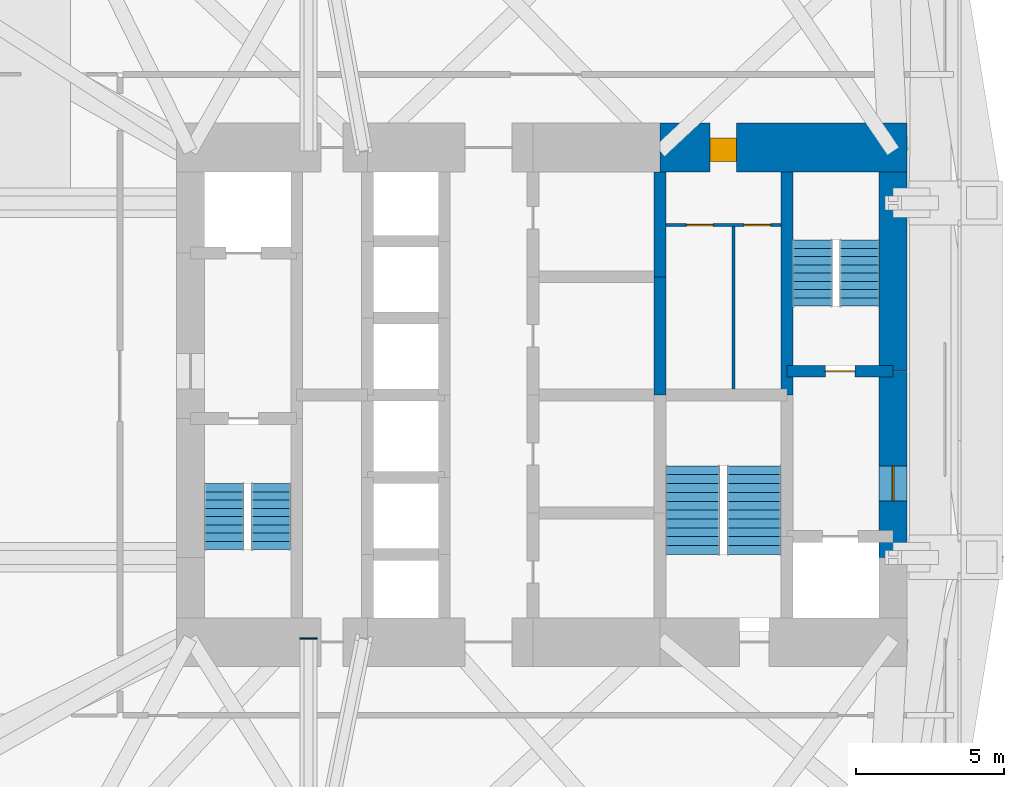
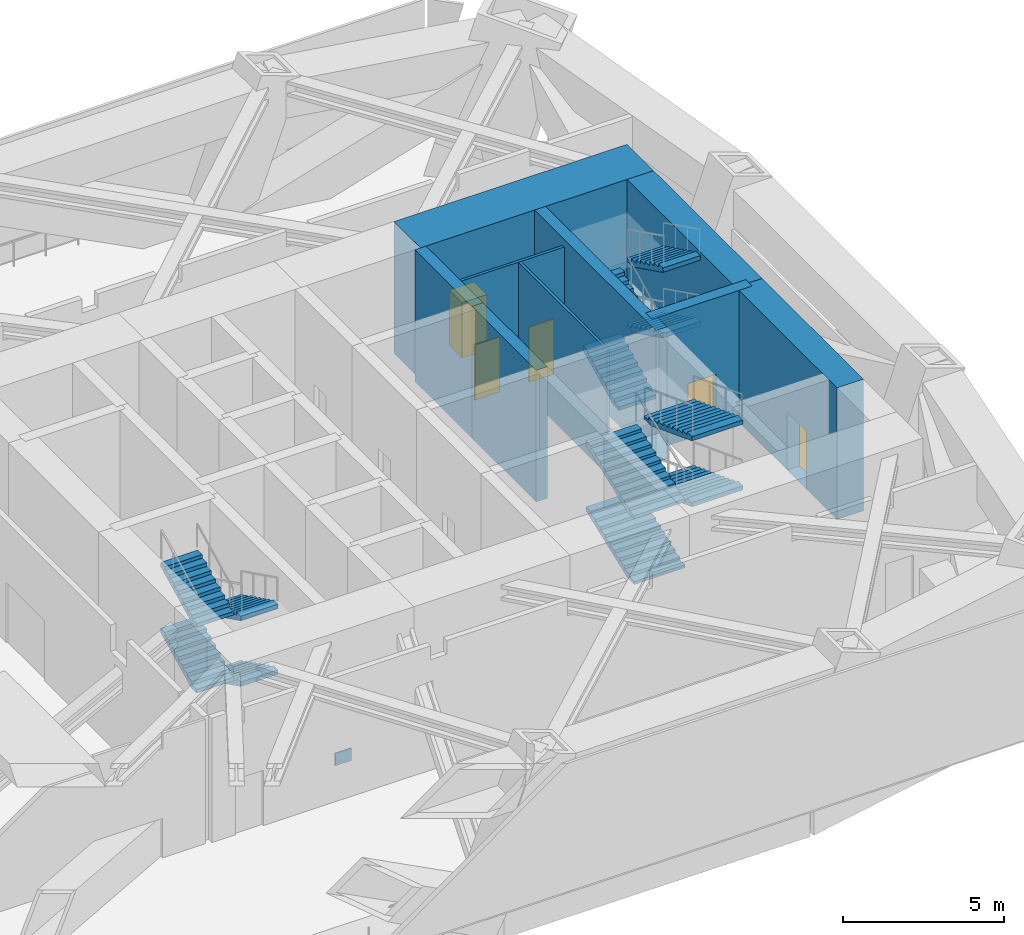
# One storey, part 6 of 8: 12 stair flights, 9 walls, 5 doors, 1 discrete accessory, 5 openings, 3 elements without a shape of their own.
"""IFC4 building model written with IfcOpenShell, lengths in metres."""

from ifc_helpers import new_model, si_unit, direction, frame, frame_2d, origin, origin_2d, place, context, subcontext, project, spatial, polyline, rectangle, outline, extrude, material, layer, layer_set, constituent, constituent_set, material_profile, profile_set, type_object, element, fill, aggregate, save


model = new_model("IFC4")

# Units and contexts
model_context = context("Model", 3, precision=1e-05, world=origin(), true_north=direction((0.0, 1.0)))
body_context = subcontext(model_context, "Body", "Model", "MODEL_VIEW")
ifc_project = project(units=[si_unit("LENGTHUNIT", "METRE"), si_unit("AREAUNIT", "SQUARE_METRE"), si_unit("VOLUMEUNIT", "CUBIC_METRE"), si_unit("PLANEANGLEUNIT", "RADIAN"), si_unit("MASSUNIT", "GRAM", prefix="KILO")], contexts=[model_context])

# Site, building, storey
site_placement = place(None, origin())
site = spatial("IfcSite", under=ifc_project, at=site_placement, CompositionType="ELEMENT")
building_placement = place(site_placement, origin())
building = spatial("IfcBuilding", under=site, at=building_placement, Name="Jalousie Tower", CompositionType="ELEMENT")
storey_placement = place(building_placement, frame((0.0, 0.0, 74.75)))
storey = spatial("IfcBuildingStorey", under=building, at=storey_placement, Name="L20", CompositionType="ELEMENT", Elevation=74.75)

# Wall, opening, door
ifc_material_1 = material(Name="Concrete f'c 120 MPa", Category="concrete")
ifc_layer_1 = layer(ifc_material_1, 1.64990234375)
ifc_layer_set_1 = layer_set([ifc_layer_1], Name="Concrete f'c 120 MPa")
wall_type_1 = type_object("IfcWallType", Name="CORE WALL 1650", PredefinedType="SHEAR", material=ifc_layer_set_1)
wall_1_placement = place(storey_placement, frame((44.27490234375, 26.875, 0.0), z_axis=(0.0, 0.0, 1.0), x_axis=(-1.0, 0.0, 0.0)))
wall_1 = element("IfcWall", 1, at=wall_1_placement, inside=storey, type_object=wall_type_1, Name="Core wall NA L20", PredefinedType="SHEAR", context=body_context, shape_type="SweptSolid", body=[
    extrude(rectangle(XDim=8.375, YDim=1.64990234375, at=frame_2d((4.1875, 0.0))), origin(), (0.0, 0.0, 1.0), 5.0),
])
opening_1_placement = place(wall_1_placement, frame((5.77490234375, 0.0, 0.0)))
opening_1 = element("IfcOpeningElement", 2, at=opening_1_placement, cuts=wall_1, Name="Opening D25", PredefinedType="OPENING", context=body_context, shape_type="SweptSolid", body=[
    extrude(rectangle(XDim=0.89990234375, YDim=2.10009765625, at=frame_2d((0.449951171875, 1.050048828125))), frame((0.0, 0.8349609375, 0.0), z_axis=(0.0, -1.0, 0.0), x_axis=(1.0, 0.0, 0.0)), (0.0, 0.0, 1.0), 1.669921875),
])
ifc_material_2 = material(Name="Steel fire door", Category="steel")
door_type_1 = type_object("IfcDoorType", Name="SERVICE LOBBY DOOR 900", OperationType="SINGLE_SWING_LEFT", PredefinedType="DOOR", material=ifc_material_2)
door_1_placement = place(opening_1_placement, origin())
door_1 = element("IfcDoor", 3, at=door_1_placement, inside=storey, type_object=door_type_1, Name="Service lobby door", OperationType="SINGLE_SWING_RIGHT", OverallHeight=2.10009765625, OverallWidth=0.89990234375, PredefinedType="DOOR", context=body_context, shape_type="SweptSolid", body=[
    extrude(rectangle(XDim=0.89990234375, YDim=2.10009765625, at=frame_2d((0.449951171875, 1.050048828125))), frame((0.0, 0.47021484375, 0.0), z_axis=(0.0, -1.0, 0.0), x_axis=(1.0, 0.0, 0.0)), (0.0, 0.0, 1.0), 0.800048828125),
])
fill(opening_1, door_1)

# Walls
ifc_material_3 = material(Name="Concrete f'c 120 MPa", Category="concrete")
ifc_layer_2 = layer(ifc_material_3, 0.39990234375)
ifc_layer_set_2 = layer_set([ifc_layer_2], Name="Concrete f'c 120 MPa")
wall_type_2 = type_object("IfcWallType", Name="CORE WALL 400", PredefinedType="SHEAR", material=ifc_layer_set_2)
wall_2_placement = place(storey_placement, frame((35.89990234375, 18.5, 0.0), z_axis=(0.0, 0.0, 1.0), x_axis=(0.0, 1.0, 0.0)))
element("IfcWall", 4, at=wall_2_placement, inside=storey, type_object=wall_type_2, Name="Core wall X35.9C L20", PredefinedType="SHEAR", context=body_context, shape_type="SweptSolid", body=[
    extrude(rectangle(XDim=4.0, YDim=0.39990234375, at=frame_2d((2.0, 0.0))), origin(), (0.0, 0.0, 1.0), 5.0),
])
wall_3_placement = place(storey_placement, frame((35.89990234375, 22.5, 0.0), z_axis=(0.0, 0.0, 1.0), x_axis=(0.0, 1.0, 0.0)))
element("IfcWall", 5, at=wall_3_placement, inside=storey, type_object=wall_type_2, Name="Core wall X35.9D L20", PredefinedType="SHEAR", context=body_context, shape_type="SweptSolid", body=[
    extrude(rectangle(XDim=3.550048828125, YDim=0.39990234375, at=frame_2d((1.77490234375, 0.0))), origin(), (0.0, 0.0, 1.0), 5.0),
])
wall_4_placement = place(storey_placement, frame((40.199951171875, 18.5, 0.0), z_axis=(0.0, 0.0, 1.0), x_axis=(0.0, 1.0, 0.0)))
element("IfcWall", 6, at=wall_4_placement, inside=storey, type_object=wall_type_2, Name="Core wall X40.2C L20", PredefinedType="SHEAR", context=body_context, shape_type="SweptSolid", body=[
    extrude(rectangle(XDim=7.550048828125, YDim=0.39990234375, at=frame_2d((3.77490234375, 0.0))), origin(), (0.0, 0.0, 1.0), 5.0),
])

# Wall, opening, door
wall_5_placement = place(storey_placement, frame((40.199951171875, 19.300048828125, 0.0), z_axis=(0.0, 0.0, 1.0), x_axis=(1.0, 0.0, 0.0)))
wall_5 = element("IfcWall", 7, at=wall_5_placement, inside=storey, type_object=wall_type_2, Name="Core wall Y40.2-19.3 L20", PredefinedType="SHEAR", context=body_context, shape_type="SweptSolid", body=[
    extrude(rectangle(XDim=3.60009765625, YDim=0.39990234375, at=frame_2d((1.800048828125, 0.0))), origin(), (0.0, 0.0, 1.0), 5.0),
])
opening_2_placement = place(wall_5_placement, frame((1.300048828125, 0.0, 0.0)))
opening_2 = element("IfcOpeningElement", 8, at=opening_2_placement, cuts=wall_5, Name="Opening D10", PredefinedType="OPENING", context=body_context, shape_type="SweptSolid", body=[
    extrude(rectangle(XDim=1.0, YDim=2.10009765625, at=frame_2d((0.5, 1.050048828125))), frame((0.0, 0.2099609375, 0.0), z_axis=(0.0, -1.0, 0.0), x_axis=(1.0, 0.0, 0.0)), (0.0, 0.0, 1.0), 0.419921875),
])
ifc_material_4 = material(Name="Steel fire door", Category="steel")
door_type_2 = type_object("IfcDoorType", Name="STAIR DOOR 1000", OperationType="SINGLE_SWING_LEFT", PredefinedType="DOOR", material=ifc_material_4)
door_2_placement = place(opening_2_placement, origin())
door_2 = element("IfcDoor", 9, at=door_2_placement, inside=storey, type_object=door_type_2, Name="Exit stair B door", OperationType="SINGLE_SWING_RIGHT", OverallHeight=2.10009765625, OverallWidth=1.0, PredefinedType="DOOR", context=body_context, shape_type="SweptSolid", body=[
    extrude(rectangle(XDim=1.0, YDim=2.10009765625, at=frame_2d((0.5, 1.050048828125))), frame((0.0, 0.02490234375, 0.0), z_axis=(0.0, -1.0, 0.0), x_axis=(1.0, 0.0, 0.0)), (0.0, 0.0, 1.0), 0.050048828125),
])
fill(opening_2, door_2)

ifc_material_5 = material(Name="Concrete f'c 120 MPa", Category="concrete")
ifc_layer_3 = layer(ifc_material_5, 0.949951171875)
ifc_layer_set_3 = layer_set([ifc_layer_3], Name="Concrete f'c 120 MPa")
wall_type_3 = type_object("IfcWallType", Name="CORE WALL 950", PredefinedType="SHEAR", material=ifc_layer_set_3)
wall_6_placement = place(storey_placement, frame((43.800048828125, 13.0, 0.0), z_axis=(0.0, 0.0, 1.0), x_axis=(0.0, 1.0, 0.0)))
wall_6 = element("IfcWall", 10, at=wall_6_placement, inside=storey, type_object=wall_type_3, Name="Core wall EB L20", PredefinedType="SHEAR", context=body_context, shape_type="SweptSolid", body=[
    extrude(rectangle(XDim=6.300048828125, YDim=0.949951171875, at=frame_2d((3.14990234375, 0.0))), origin(), (0.0, 0.0, 1.0), 5.0),
])
opening_3_placement = place(wall_6_placement, frame((1.89990234375, 0.0, 0.0)))
opening_3 = element("IfcOpeningElement", 11, at=opening_3_placement, cuts=wall_6, Name="Opening D11", PredefinedType="OPENING", context=body_context, shape_type="SweptSolid", body=[
    extrude(rectangle(XDim=1.199951171875, YDim=2.199951171875, at=frame_2d((0.60009765625, 1.10009765625))), frame((0.0, 0.48486328125, 0.0), z_axis=(0.0, -1.0, 0.0), x_axis=(1.0, 0.0, 0.0)), (0.0, 0.0, 1.0), 0.969970703125),
])
ifc_material_6 = material(Name="Steel fire door", Category="steel")
door_type_3 = type_object("IfcDoorType", Name="FIRE DOOR 1200", OperationType="SINGLE_SWING_LEFT", PredefinedType="DOOR", material=ifc_material_6)
door_3_placement = place(opening_3_placement, origin())
door_3 = element("IfcDoor", 12, at=door_3_placement, inside=storey, type_object=door_type_3, Name="Fire-fighting lobby B door", OperationType="SINGLE_SWING_LEFT", OverallHeight=2.199951171875, OverallWidth=1.199951171875, PredefinedType="DOOR", context=body_context, shape_type="SweptSolid", body=[
    extrude(rectangle(XDim=1.199951171875, YDim=2.199951171875, at=frame_2d((0.60009765625, 1.10009765625))), frame((0.0, 0.02490234375, 0.0), z_axis=(0.0, -1.0, 0.0), x_axis=(1.0, 0.0, 0.0)), (0.0, 0.0, 1.0), 0.050048828125),
])
fill(opening_3, door_3)

# Wall
wall_7_placement = place(storey_placement, frame((43.800048828125, 19.300048828125, 0.0), z_axis=(0.0, 0.0, 1.0), x_axis=(0.0, 1.0, 0.0)))
element("IfcWall", 13, at=wall_7_placement, inside=storey, type_object=wall_type_3, Name="Core wall EC L20", PredefinedType="SHEAR", context=body_context, shape_type="SweptSolid", body=[
    extrude(rectangle(XDim=6.75, YDim=0.949951171875, at=frame_2d((3.375, 0.0))), origin(), (0.0, 0.0, 1.0), 5.0),
])

# Wall, openings, doors
ifc_material_7 = material(Name="Gypsum board", Category="gypsum")
ifc_constituent_1 = constituent(ifc_material_7, Name="Body")
ifc_material_8 = material(Name="Light-gauge steel studs ASTM A653 SS Grade 33", Category="steel")
ifc_constituent_2 = constituent(ifc_material_8, Name="Framing")
ifc_constituent_set = constituent_set(constituents=[ifc_constituent_1, ifc_constituent_2])
wall_type_4 = type_object("IfcWallType", Name="PARTITION 100", PredefinedType="PARTITIONING", material=ifc_constituent_set)
wall_8_placement = place(storey_placement, frame((36.10009765625, 24.25, 0.0), z_axis=(0.0, 0.0, 1.0), x_axis=(1.0, 0.0, 0.0)))
wall_8 = element("IfcWall", 14, at=wall_8_placement, inside=storey, type_object=wall_type_4, Name="Partition 100 L20", PredefinedType="PARTITIONING", context=body_context, shape_type="SweptSolid", body=[
    extrude(rectangle(XDim=3.89990234375, YDim=0.10009765625, at=frame_2d((1.949951171875, 0.0))), origin(), (0.0, 0.0, 1.0), 4.719970703125),
])
opening_4_placement = place(wall_8_placement, frame((0.699951171875, 0.0, 0.0)))
opening_4 = element("IfcOpeningElement", 15, at=opening_4_placement, cuts=wall_8, Name="Opening D7", PredefinedType="OPENING", context=body_context, shape_type="SweptSolid", body=[
    extrude(rectangle(XDim=0.89990234375, YDim=2.10009765625, at=frame_2d((0.449951171875, 1.050048828125))), frame((0.0, 0.06005859375, 0.0), z_axis=(0.0, -1.0, 0.0), x_axis=(1.0, 0.0, 0.0)), (0.0, 0.0, 1.0), 0.1201171875),
])
opening_5_placement = place(wall_8_placement, frame((2.64990234375, 0.0, 0.0)))
opening_5 = element("IfcOpeningElement", 16, at=opening_5_placement, cuts=wall_8, Name="Opening D7", PredefinedType="OPENING", context=body_context, shape_type="SweptSolid", body=[
    extrude(rectangle(XDim=0.89990234375, YDim=2.10009765625, at=frame_2d((0.449951171875, 1.050048828125))), frame((0.0, 0.06005859375, 0.0), z_axis=(0.0, -1.0, 0.0), x_axis=(1.0, 0.0, 0.0)), (0.0, 0.0, 1.0), 0.1201171875),
])
ifc_material_9 = material(Name="Timber door", Category="wood")
door_type_4 = type_object("IfcDoorType", Name="INTERNAL DOOR 900", OperationType="SINGLE_SWING_LEFT", PredefinedType="DOOR", material=ifc_material_9)
door_4_placement = place(opening_4_placement, frame((0.89990234375, 0.0, 0.0), z_axis=(0.0, 0.0, 1.0), x_axis=(-1.0, 0.0, 0.0)))
door_4 = element("IfcDoor", 17, at=door_4_placement, inside=storey, type_object=door_type_4, Name="IT room door", OperationType="SINGLE_SWING_LEFT", OverallHeight=2.10009765625, OverallWidth=0.89990234375, PredefinedType="DOOR", context=body_context, shape_type="SweptSolid", body=[
    extrude(rectangle(XDim=0.89990234375, YDim=2.10009765625, at=frame_2d((0.449951171875, 1.050048828125))), frame((0.0, 0.02490234375, 0.0), z_axis=(0.0, -1.0, 0.0), x_axis=(1.0, 0.0, 0.0)), (0.0, 0.0, 1.0), 0.050048828125),
])
fill(opening_4, door_4)
door_5_placement = place(opening_5_placement, frame((0.89990234375, 0.0, 0.0), z_axis=(0.0, 0.0, 1.0), x_axis=(-1.0, 0.0, 0.0)))
door_5 = element("IfcDoor", 18, at=door_5_placement, inside=storey, type_object=door_type_4, Name="Staff WC door", OperationType="SINGLE_SWING_RIGHT", OverallHeight=2.10009765625, OverallWidth=0.89990234375, PredefinedType="DOOR", context=body_context, shape_type="SweptSolid", body=[
    extrude(rectangle(XDim=0.89990234375, YDim=2.10009765625, at=frame_2d((0.449951171875, 1.050048828125))), frame((0.0, 0.02490234375, 0.0), z_axis=(0.0, -1.0, 0.0), x_axis=(1.0, 0.0, 0.0)), (0.0, 0.0, 1.0), 0.050048828125),
])
fill(opening_5, door_5)

# Wall
wall_9_placement = place(storey_placement, frame((38.39990234375, 18.699951171875, 0.0), z_axis=(0.0, 0.0, 1.0), x_axis=(0.0, 1.0, 0.0)))
element("IfcWall", 19, at=wall_9_placement, inside=storey, type_object=wall_type_4, Name="Partition 100 L20", PredefinedType="PARTITIONING", context=body_context, shape_type="SweptSolid", body=[
    extrude(rectangle(XDim=5.5, YDim=0.10009765625, at=frame_2d((2.75, 0.0))), origin(), (0.0, 0.0, 1.0), 4.719970703125),
])

# Stair, stair flights
ifc_material_10 = material(Name="Concrete f'c 40 MPa", Category="concrete")
stair_type = type_object("IfcStairType", Name="EXIT STAIR", PredefinedType="HALF_TURN_STAIR", material=ifc_material_10)
stair_1_placement = place(storey_placement, origin())
stair_1 = element("IfcStair", 20, at=stair_1_placement, inside=storey, type_object=stair_type, Name="Exit stair A L20", PredefinedType="HALF_TURN_STAIR")
ifc_material_11 = material(Name="Concrete f'c 40 MPa", Category="concrete")
stair_flight_type = type_object("IfcStairFlightType", Name="STAIR FLIGHT", PredefinedType="STRAIGHT", material=ifc_material_11)
stair_flight_1_placement = place(storey_placement, frame((22.731201171875, 15.49755859375, 0.0), z_axis=(0.0, 0.0, 1.0), x_axis=(0.0, -1.0, 0.0)))
stair_flight_1 = element("IfcStairFlight", 21, at=stair_flight_1_placement, type_object=stair_flight_type, Name="ST-A flight 1", NumberOfRisers=9, NumberOfTreads=8, PredefinedType="STRAIGHT", RiserHeight=0.138888889, TreadLength=0.28, context=body_context, shape_type="SweptSolid", body=[
    extrude(outline(polyline([(0.0, 0.0), (0.0, 0.138916015625), (0.280029296875, 0.138916015625), (0.280029296875, 0.27783203125), (0.56005859375, 0.27783203125), (0.56005859375, 0.416748046875), (0.840087890625, 0.416748046875), (0.840087890625, 0.5556640625), (1.1201171875, 0.5556640625), (1.1201171875, 0.6943359375), (1.39990234375, 0.6943359375), (1.39990234375, 0.833251953125), (1.679931640625, 0.833251953125), (1.679931640625, 0.97216796875), (1.9599609375, 0.97216796875), (1.9599609375, 1.111083984375), (2.239990234375, 1.111083984375), (2.239990234375, 1.25), (2.239990234375, 0.94384765625), (0.33740234375, 0.0), (0.0, 0.0)])), frame((0.0, 0.668701171875, 0.0), z_axis=(0.0, -1.0, 0.0), x_axis=(1.0, 0.0, 0.0)), (0.0, 0.0, 1.0), 1.33740234375),
])
stair_flight_2_placement = place(storey_placement, frame((21.143798828125, 13.257568359375, 1.25), z_axis=(0.0, 0.0, 1.0), x_axis=(0.0, 1.0, 0.0)))
stair_flight_2 = element("IfcStairFlight", 22, at=stair_flight_2_placement, type_object=stair_flight_type, Name="ST-A flight 2", NumberOfRisers=9, NumberOfTreads=8, PredefinedType="STRAIGHT", RiserHeight=0.138888889, TreadLength=0.28, context=body_context, shape_type="SweptSolid", body=[
    extrude(outline(polyline([(0.0, 0.0), (0.0, 0.138916015625), (0.280029296875, 0.138916015625), (0.280029296875, 0.27783203125), (0.56005859375, 0.27783203125), (0.56005859375, 0.416748046875), (0.840087890625, 0.416748046875), (0.840087890625, 0.5556640625), (1.1201171875, 0.5556640625), (1.1201171875, 0.6943359375), (1.39990234375, 0.6943359375), (1.39990234375, 0.833251953125), (1.679931640625, 0.833251953125), (1.679931640625, 0.97216796875), (1.9599609375, 0.97216796875), (1.9599609375, 1.111083984375), (2.239990234375, 1.111083984375), (2.239990234375, 1.25), (2.239990234375, 0.94384765625), (0.33740234375, 0.0), (0.0, 0.0)])), frame((0.0, 0.668701171875, 0.0), z_axis=(0.0, -1.0, 0.0), x_axis=(1.0, 0.0, 0.0)), (0.0, 0.0, 1.0), 1.33740234375),
])
stair_flight_3_placement = place(storey_placement, frame((22.731201171875, 15.49755859375, 2.5), z_axis=(0.0, 0.0, 1.0), x_axis=(0.0, -1.0, 0.0)))
stair_flight_3 = element("IfcStairFlight", 23, at=stair_flight_3_placement, type_object=stair_flight_type, Name="ST-A flight 3", NumberOfRisers=9, NumberOfTreads=8, PredefinedType="STRAIGHT", RiserHeight=0.138888889, TreadLength=0.28, context=body_context, shape_type="SweptSolid", body=[
    extrude(outline(polyline([(0.0, 0.0), (0.0, 0.138916015625), (0.280029296875, 0.138916015625), (0.280029296875, 0.27783203125), (0.56005859375, 0.27783203125), (0.56005859375, 0.416748046875), (0.840087890625, 0.416748046875), (0.840087890625, 0.5556640625), (1.1201171875, 0.5556640625), (1.1201171875, 0.6943359375), (1.39990234375, 0.6943359375), (1.39990234375, 0.833251953125), (1.679931640625, 0.833251953125), (1.679931640625, 0.97216796875), (1.9599609375, 0.97216796875), (1.9599609375, 1.111083984375), (2.239990234375, 1.111083984375), (2.239990234375, 1.25), (2.239990234375, 0.94384765625), (0.33740234375, 0.0), (0.0, 0.0)])), frame((0.0, 0.668701171875, 0.0), z_axis=(0.0, -1.0, 0.0), x_axis=(1.0, 0.0, 0.0)), (0.0, 0.0, 1.0), 1.33740234375),
])
stair_flight_4_placement = place(storey_placement, frame((21.143798828125, 13.257568359375, 3.75), z_axis=(0.0, 0.0, 1.0), x_axis=(0.0, 1.0, 0.0)))
stair_flight_4 = element("IfcStairFlight", 24, at=stair_flight_4_placement, type_object=stair_flight_type, Name="ST-A flight 4", NumberOfRisers=9, NumberOfTreads=8, PredefinedType="STRAIGHT", RiserHeight=0.138888889, TreadLength=0.28, context=body_context, shape_type="SweptSolid", body=[
    extrude(outline(polyline([(0.0, 0.0), (0.0, 0.138916015625), (0.280029296875, 0.138916015625), (0.280029296875, 0.27783203125), (0.56005859375, 0.27783203125), (0.56005859375, 0.416748046875), (0.840087890625, 0.416748046875), (0.840087890625, 0.5556640625), (1.1201171875, 0.5556640625), (1.1201171875, 0.6943359375), (1.39990234375, 0.6943359375), (1.39990234375, 0.833251953125), (1.679931640625, 0.833251953125), (1.679931640625, 0.97216796875), (1.9599609375, 0.97216796875), (1.9599609375, 1.111083984375), (2.239990234375, 1.111083984375), (2.239990234375, 1.25), (2.239990234375, 0.94384765625), (0.33740234375, 0.0), (0.0, 0.0)])), frame((0.0, 0.668701171875, 0.0), z_axis=(0.0, -1.0, 0.0), x_axis=(1.0, 0.0, 0.0)), (0.0, 0.0, 1.0), 1.33740234375),
])
aggregate(stair_1, [stair_flight_1, stair_flight_2, stair_flight_3, stair_flight_4])

stair_2_placement = place(storey_placement, origin())
stair_2 = element("IfcStair", 25, at=stair_2_placement, inside=storey, type_object=stair_type, Name="Exit stair B L20", PredefinedType="HALF_TURN_STAIR")
stair_flight_5_placement = place(storey_placement, frame((41.06884765625, 21.50244140625, 0.0), z_axis=(0.0, 0.0, 1.0), x_axis=(0.0, 1.0, 0.0)))
stair_flight_5 = element("IfcStairFlight", 26, at=stair_flight_5_placement, type_object=stair_flight_type, Name="ST-B flight 1", NumberOfRisers=9, NumberOfTreads=8, PredefinedType="STRAIGHT", RiserHeight=0.138888889, TreadLength=0.28, context=body_context, shape_type="SweptSolid", body=[
    extrude(outline(polyline([(0.0, 0.0), (0.0, 0.138916015625), (0.280029296875, 0.138916015625), (0.280029296875, 0.27783203125), (0.56005859375, 0.27783203125), (0.56005859375, 0.416748046875), (0.840087890625, 0.416748046875), (0.840087890625, 0.5556640625), (1.1201171875, 0.5556640625), (1.1201171875, 0.6943359375), (1.39990234375, 0.6943359375), (1.39990234375, 0.833251953125), (1.679931640625, 0.833251953125), (1.679931640625, 0.97216796875), (1.9599609375, 0.97216796875), (1.9599609375, 1.111083984375), (2.239990234375, 1.111083984375), (2.239990234375, 1.25), (2.239990234375, 0.94384765625), (0.33740234375, 0.0), (0.0, 0.0)])), frame((0.0, 0.668701171875, 0.0), z_axis=(0.0, -1.0, 0.0), x_axis=(1.0, 0.0, 0.0)), (0.0, 0.0, 1.0), 1.33740234375),
])
stair_flight_6_placement = place(storey_placement, frame((42.65625, 23.742431640625, 1.25), z_axis=(0.0, 0.0, 1.0), x_axis=(0.0, -1.0, 0.0)))
stair_flight_6 = element("IfcStairFlight", 27, at=stair_flight_6_placement, type_object=stair_flight_type, Name="ST-B flight 2", NumberOfRisers=9, NumberOfTreads=8, PredefinedType="STRAIGHT", RiserHeight=0.138888889, TreadLength=0.28, context=body_context, shape_type="SweptSolid", body=[
    extrude(outline(polyline([(0.0, 0.0), (0.0, 0.138916015625), (0.280029296875, 0.138916015625), (0.280029296875, 0.27783203125), (0.56005859375, 0.27783203125), (0.56005859375, 0.416748046875), (0.840087890625, 0.416748046875), (0.840087890625, 0.5556640625), (1.1201171875, 0.5556640625), (1.1201171875, 0.6943359375), (1.39990234375, 0.6943359375), (1.39990234375, 0.833251953125), (1.679931640625, 0.833251953125), (1.679931640625, 0.97216796875), (1.9599609375, 0.97216796875), (1.9599609375, 1.111083984375), (2.239990234375, 1.111083984375), (2.239990234375, 1.25), (2.239990234375, 0.94384765625), (0.33740234375, 0.0), (0.0, 0.0)])), frame((0.0, 0.668701171875, 0.0), z_axis=(0.0, -1.0, 0.0), x_axis=(1.0, 0.0, 0.0)), (0.0, 0.0, 1.0), 1.33740234375),
])
stair_flight_7_placement = place(storey_placement, frame((41.06884765625, 21.50244140625, 2.5), z_axis=(0.0, 0.0, 1.0), x_axis=(0.0, 1.0, 0.0)))
stair_flight_7 = element("IfcStairFlight", 28, at=stair_flight_7_placement, type_object=stair_flight_type, Name="ST-B flight 3", NumberOfRisers=9, NumberOfTreads=8, PredefinedType="STRAIGHT", RiserHeight=0.138888889, TreadLength=0.28, context=body_context, shape_type="SweptSolid", body=[
    extrude(outline(polyline([(0.0, 0.0), (0.0, 0.138916015625), (0.280029296875, 0.138916015625), (0.280029296875, 0.27783203125), (0.56005859375, 0.27783203125), (0.56005859375, 0.416748046875), (0.840087890625, 0.416748046875), (0.840087890625, 0.5556640625), (1.1201171875, 0.5556640625), (1.1201171875, 0.6943359375), (1.39990234375, 0.6943359375), (1.39990234375, 0.833251953125), (1.679931640625, 0.833251953125), (1.679931640625, 0.97216796875), (1.9599609375, 0.97216796875), (1.9599609375, 1.111083984375), (2.239990234375, 1.111083984375), (2.239990234375, 1.25), (2.239990234375, 0.94384765625), (0.33740234375, 0.0), (0.0, 0.0)])), frame((0.0, 0.668701171875, 0.0), z_axis=(0.0, -1.0, 0.0), x_axis=(1.0, 0.0, 0.0)), (0.0, 0.0, 1.0), 1.33740234375),
])
stair_flight_8_placement = place(storey_placement, frame((42.65625, 23.742431640625, 3.75), z_axis=(0.0, 0.0, 1.0), x_axis=(0.0, -1.0, 0.0)))
stair_flight_8 = element("IfcStairFlight", 29, at=stair_flight_8_placement, type_object=stair_flight_type, Name="ST-B flight 4", NumberOfRisers=9, NumberOfTreads=8, PredefinedType="STRAIGHT", RiserHeight=0.138888889, TreadLength=0.28, context=body_context, shape_type="SweptSolid", body=[
    extrude(outline(polyline([(0.0, 0.0), (0.0, 0.138916015625), (0.280029296875, 0.138916015625), (0.280029296875, 0.27783203125), (0.56005859375, 0.27783203125), (0.56005859375, 0.416748046875), (0.840087890625, 0.416748046875), (0.840087890625, 0.5556640625), (1.1201171875, 0.5556640625), (1.1201171875, 0.6943359375), (1.39990234375, 0.6943359375), (1.39990234375, 0.833251953125), (1.679931640625, 0.833251953125), (1.679931640625, 0.97216796875), (1.9599609375, 0.97216796875), (1.9599609375, 1.111083984375), (2.239990234375, 1.111083984375), (2.239990234375, 1.25), (2.239990234375, 0.94384765625), (0.33740234375, 0.0), (0.0, 0.0)])), frame((0.0, 0.668701171875, 0.0), z_axis=(0.0, -1.0, 0.0), x_axis=(1.0, 0.0, 0.0)), (0.0, 0.0, 1.0), 1.33740234375),
])
aggregate(stair_2, [stair_flight_5, stair_flight_6, stair_flight_7, stair_flight_8])

stair_3_placement = place(storey_placement, origin())
stair_3 = element("IfcStair", 30, at=stair_3_placement, inside=storey, type_object=stair_type, Name="Exit stair C L20", PredefinedType="HALF_TURN_STAIR")
stair_flight_9_placement = place(storey_placement, frame((37.012451171875, 13.097412109375, 0.0), z_axis=(0.0, 0.0, 1.0), x_axis=(0.0, 1.0, 0.0)))
stair_flight_9 = element("IfcStairFlight", 31, at=stair_flight_9_placement, type_object=stair_flight_type, Name="ST-C flight 1", NumberOfRisers=11, NumberOfTreads=10, PredefinedType="STRAIGHT", RiserHeight=0.113636364, TreadLength=0.3, context=body_context, shape_type="SweptSolid", body=[
    extrude(outline(polyline([(0.0, 0.0), (0.0, 0.113525390625), (0.300048828125, 0.113525390625), (0.300048828125, 0.227294921875), (0.60009765625, 0.227294921875), (0.60009765625, 0.3408203125), (0.89990234375, 0.3408203125), (0.89990234375, 0.45458984375), (1.199951171875, 0.45458984375), (1.199951171875, 0.568115234375), (1.5, 0.568115234375), (1.5, 0.681884765625), (1.800048828125, 0.681884765625), (1.800048828125, 0.79541015625), (2.10009765625, 0.79541015625), (2.10009765625, 0.9091796875), (2.39990234375, 0.9091796875), (2.39990234375, 1.022705078125), (2.699951171875, 1.022705078125), (2.699951171875, 1.136474609375), (3.0, 1.136474609375), (3.0, 1.25), (3.0, 0.97607421875), (0.423095703125, 0.0), (0.0, 0.0)])), frame((0.0, 0.91259765625, 0.0), z_axis=(0.0, -1.0, 0.0), x_axis=(1.0, 0.0, 0.0)), (0.0, 0.0, 1.0), 1.824951171875),
])
stair_flight_10_placement = place(storey_placement, frame((39.08740234375, 16.097412109375, 1.25), z_axis=(0.0, 0.0, 1.0), x_axis=(0.0, -1.0, 0.0)))
stair_flight_10 = element("IfcStairFlight", 32, at=stair_flight_10_placement, type_object=stair_flight_type, Name="ST-C flight 2", NumberOfRisers=11, NumberOfTreads=10, PredefinedType="STRAIGHT", RiserHeight=0.113636364, TreadLength=0.3, context=body_context, shape_type="SweptSolid", body=[
    extrude(outline(polyline([(0.0, 0.0), (0.0, 0.113525390625), (0.300048828125, 0.113525390625), (0.300048828125, 0.227294921875), (0.60009765625, 0.227294921875), (0.60009765625, 0.3408203125), (0.89990234375, 0.3408203125), (0.89990234375, 0.45458984375), (1.199951171875, 0.45458984375), (1.199951171875, 0.568115234375), (1.5, 0.568115234375), (1.5, 0.681884765625), (1.800048828125, 0.681884765625), (1.800048828125, 0.79541015625), (2.10009765625, 0.79541015625), (2.10009765625, 0.9091796875), (2.39990234375, 0.9091796875), (2.39990234375, 1.022705078125), (2.699951171875, 1.022705078125), (2.699951171875, 1.136474609375), (3.0, 1.136474609375), (3.0, 1.25), (3.0, 0.97607421875), (0.423095703125, 0.0), (0.0, 0.0)])), frame((0.0, 0.91259765625, 0.0), z_axis=(0.0, -1.0, 0.0), x_axis=(1.0, 0.0, 0.0)), (0.0, 0.0, 1.0), 1.824951171875),
])
stair_flight_11_placement = place(storey_placement, frame((37.012451171875, 13.097412109375, 2.5), z_axis=(0.0, 0.0, 1.0), x_axis=(0.0, 1.0, 0.0)))
stair_flight_11 = element("IfcStairFlight", 33, at=stair_flight_11_placement, type_object=stair_flight_type, Name="ST-C flight 3", NumberOfRisers=11, NumberOfTreads=10, PredefinedType="STRAIGHT", RiserHeight=0.113636364, TreadLength=0.3, context=body_context, shape_type="SweptSolid", body=[
    extrude(outline(polyline([(0.0, 0.0), (0.0, 0.113525390625), (0.300048828125, 0.113525390625), (0.300048828125, 0.227294921875), (0.60009765625, 0.227294921875), (0.60009765625, 0.3408203125), (0.89990234375, 0.3408203125), (0.89990234375, 0.45458984375), (1.199951171875, 0.45458984375), (1.199951171875, 0.568115234375), (1.5, 0.568115234375), (1.5, 0.681884765625), (1.800048828125, 0.681884765625), (1.800048828125, 0.79541015625), (2.10009765625, 0.79541015625), (2.10009765625, 0.9091796875), (2.39990234375, 0.9091796875), (2.39990234375, 1.022705078125), (2.699951171875, 1.022705078125), (2.699951171875, 1.136474609375), (3.0, 1.136474609375), (3.0, 1.25), (3.0, 0.97607421875), (0.423095703125, 0.0), (0.0, 0.0)])), frame((0.0, 0.91259765625, 0.0), z_axis=(0.0, -1.0, 0.0), x_axis=(1.0, 0.0, 0.0)), (0.0, 0.0, 1.0), 1.824951171875),
])
stair_flight_12_placement = place(storey_placement, frame((39.08740234375, 16.097412109375, 3.75), z_axis=(0.0, 0.0, 1.0), x_axis=(0.0, -1.0, 0.0)))
stair_flight_12 = element("IfcStairFlight", 34, at=stair_flight_12_placement, type_object=stair_flight_type, Name="ST-C flight 4", NumberOfRisers=11, NumberOfTreads=10, PredefinedType="STRAIGHT", RiserHeight=0.113636364, TreadLength=0.3, context=body_context, shape_type="SweptSolid", body=[
    extrude(outline(polyline([(0.0, 0.0), (0.0, 0.113525390625), (0.300048828125, 0.113525390625), (0.300048828125, 0.227294921875), (0.60009765625, 0.227294921875), (0.60009765625, 0.3408203125), (0.89990234375, 0.3408203125), (0.89990234375, 0.45458984375), (1.199951171875, 0.45458984375), (1.199951171875, 0.568115234375), (1.5, 0.568115234375), (1.5, 0.681884765625), (1.800048828125, 0.681884765625), (1.800048828125, 0.79541015625), (2.10009765625, 0.79541015625), (2.10009765625, 0.9091796875), (2.39990234375, 0.9091796875), (2.39990234375, 1.022705078125), (2.699951171875, 1.022705078125), (2.699951171875, 1.136474609375), (3.0, 1.136474609375), (3.0, 1.25), (3.0, 0.97607421875), (0.423095703125, 0.0), (0.0, 0.0)])), frame((0.0, 0.91259765625, 0.0), z_axis=(0.0, -1.0, 0.0), x_axis=(1.0, 0.0, 0.0)), (0.0, 0.0, 1.0), 1.824951171875),
])
aggregate(stair_3, [stair_flight_9, stair_flight_10, stair_flight_11, stair_flight_12])

# Discrete accessory
ifc_material_12 = material(Name="Steel ASTM A572 Grade 50 plate", Category="steel")
ifc_material_profile = material_profile(ifc_material_12, rectangle(XDim=0.472412109375, YDim=0.5791015625, at=origin_2d()), Name="BRACE END PLATE 472x579x40")
ifc_profile_set = profile_set([ifc_material_profile], Name="Steel ASTM A572 Grade 50 plate")
discrete_accessory_type = type_object("IfcDiscreteAccessoryType", Name="BRACE END PLATE 472x579x40", PredefinedType="USERDEFINED", material=ifc_profile_set)
discrete_accessory_placement = place(storey_placement, frame((24.0, 10.22998046875, -0.569580078125), z_axis=(0.0, 1.0, 0.0), x_axis=(0.0, 0.0, 1.0)))
element("IfcDiscreteAccessory", 35, at=discrete_accessory_placement, inside=storey, type_object=discrete_accessory_type, Name="Outrigger T1 S03 chord L20 end plate 2", ObjectType="STRUT END PLATE", PredefinedType="USERDEFINED", context=body_context, shape_type="SweptSolid", body=[
    extrude(rectangle(XDim=0.472412109375, YDim=0.5791015625, at=origin_2d()), origin(), (0.0, 0.0, 1.0), 0.0400390625),
])

save(model, "model.ifc")
